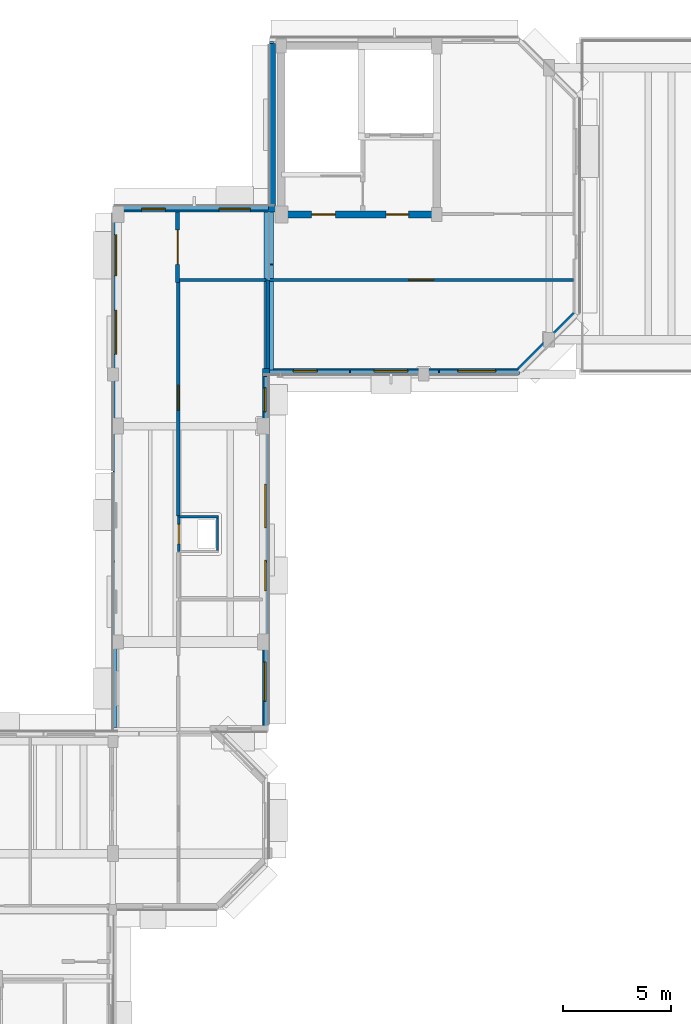
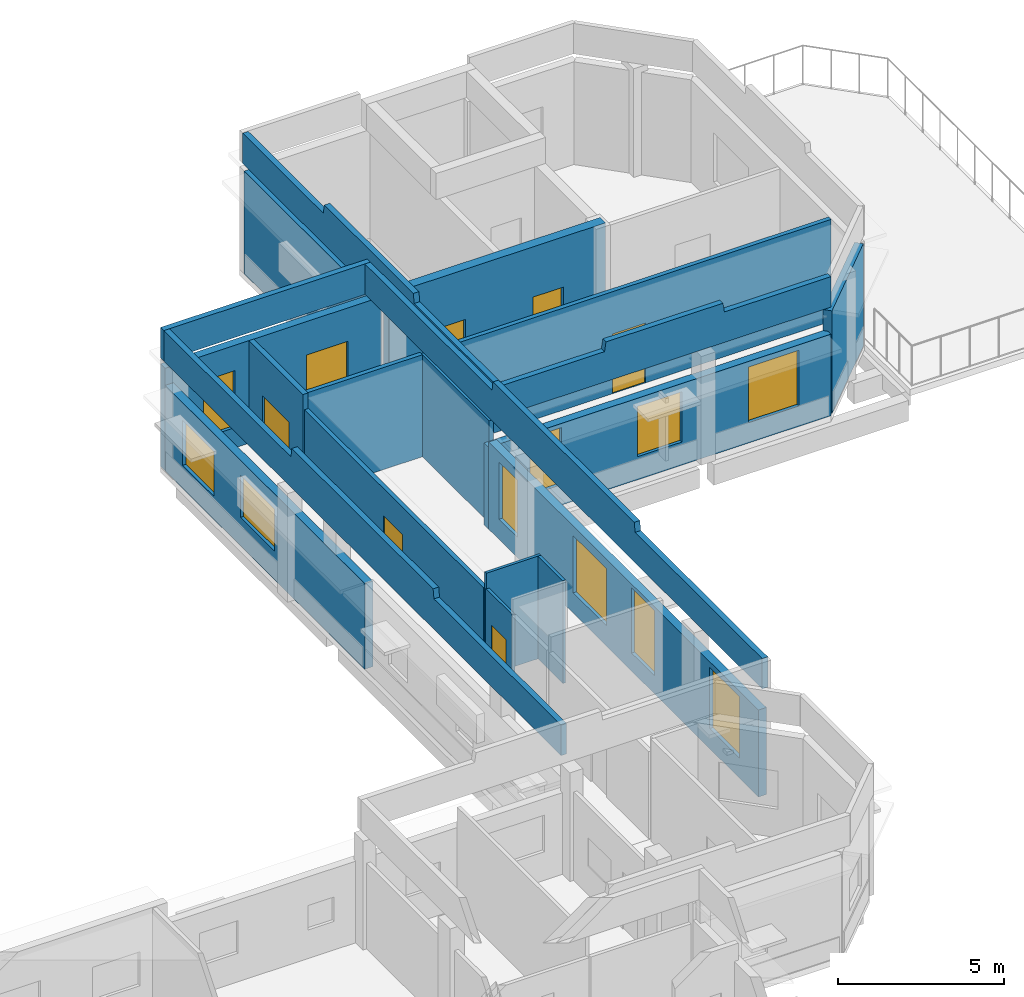
# One storey, part 12 of 17: 20 walls, 11 windows, 6 doors, 17 openings.
"""IFC4 building model written with IfcOpenShell, lengths in metres."""

import ifcopenshell
import ifcopenshell.guid

model = None  # the IFC model being written
_history = None  # IfcOwnerHistory: only IFC2X3 demands one
_inside = {}  # id of a spatial element -> (the spatial element, [elements in it])
_under = {}  # id of a project, library or spatial element -> (it, [spatial elements below it])
_declared = {}  # id of a project -> (the project, [libraries it declares])
_typed = {}  # id of a type object -> (the type object, [elements of that type])
_made_of = {}  # id of a material, layer set ... -> (it, [elements and type objects made of it])


def new_model(schema):
    """Start an empty IFC model of exactly this schema.

    Asked for "IFC4X3", IfcOpenShell would pick the latest addendum, in which some entities
    have other attributes; the version numbers below select the first issue.
    IFC2X3 requires an IfcOwnerHistory on every rooted entity: one is made here for all.
    """
    global model, _history
    if schema == "IFC4X3":
        model = ifcopenshell.file(schema_version=(4, 3, 0, 0))
    else:
        model = ifcopenshell.file(schema=schema)
    _inside.clear()
    _under.clear()
    _declared.clear()
    _typed.clear()
    _made_of.clear()
    _history = None
    if model.schema == "IFC2X3":
        org = make("IfcOrganization", Name="unknown")
        user = make(
            "IfcPersonAndOrganization",
            ThePerson=make("IfcPerson", FamilyName="unknown"),
            TheOrganization=org,
        )
        app = make(
            "IfcApplication",
            ApplicationDeveloper=org,
            Version="unknown",
            ApplicationFullName="unknown",
            ApplicationIdentifier="unknown",
        )
        _history = make(
            "IfcOwnerHistory",
            OwningUser=user,
            OwningApplication=app,
            ChangeAction="ADDED",
            CreationDate=0,
        )
    return model


def make(cls, **values):
    """One entity of the class cls with the attributes given. An attribute that is None is left unset."""
    return model.create_entity(
        cls, **{name: value for name, value in values.items() if value is not None}
    )


def rooted(cls, **values):
    """An entity with a GlobalId (a new one), such as an element, a storey or a relation."""
    return make(cls, GlobalId=ifcopenshell.guid.new(), OwnerHistory=_history, **values)


def si_unit(unit_type, name, prefix=None):
    """IfcSIUnit, for example si_unit("LENGTHUNIT", "METRE", prefix="MILLI")."""
    return make("IfcSIUnit", UnitType=unit_type, Prefix=prefix, Name=name)


def assignment(units):
    """IfcUnitAssignment: the units of a project."""
    return None if units is None else make("IfcUnitAssignment", Units=units)


def point(xyz):
    """IfcCartesianPoint."""
    return None if xyz is None else make("IfcCartesianPoint", Coordinates=xyz)


def direction(xyz):
    """IfcDirection."""
    return None if xyz is None else make("IfcDirection", DirectionRatios=xyz)


def frame(location, z_axis=None, x_axis=None):
    """IfcAxis2Placement3D, a coordinate frame: its origin and axes. An axis left out is left unset."""
    return make(
        "IfcAxis2Placement3D",
        Location=point(location),
        Axis=direction(z_axis),
        RefDirection=direction(x_axis),
    )


def frame_2d(location, x_axis=None):
    """IfcAxis2Placement2D, a coordinate frame in the plane: its origin and x axis."""
    return make(
        "IfcAxis2Placement2D", Location=point(location), RefDirection=direction(x_axis)
    )


def origin():
    """The frame at (0, 0, 0) with its axes left unset."""
    return frame((0.0, 0.0, 0.0))


def place(relative_to, where):
    """IfcLocalPlacement: puts the frame where relative to a parent placement (None: the world)."""
    return make(
        "IfcLocalPlacement", PlacementRelTo=relative_to, RelativePlacement=where
    )


def context(
    kind, dimensions, precision=None, world=None, true_north=None, identifier=None
):
    """IfcGeometricRepresentationContext, for example the 3D "Model" context."""
    return make(
        "IfcGeometricRepresentationContext",
        ContextIdentifier=identifier,
        ContextType=kind,
        CoordinateSpaceDimension=dimensions,
        Precision=precision,
        WorldCoordinateSystem=world,
        TrueNorth=true_north,
    )


def subcontext(parent, identifier, kind, view, scale=None):
    """IfcGeometricRepresentationSubContext, for example "Body" below "Model"."""
    return make(
        "IfcGeometricRepresentationSubContext",
        ContextIdentifier=identifier,
        ContextType=kind,
        ParentContext=parent,
        TargetScale=scale,
        TargetView=view,
    )


def project(units=None, contexts=None):
    """IfcProject with its units and contexts."""
    return rooted(
        "IfcProject",
        Name="project",
        RepresentationContexts=contexts,
        UnitsInContext=assignment(units),
    )


def spatial(cls, under=None, at=None, **own):
    """A site, building, storey or space (cls), placed at a placement, below another one or the project."""
    s = rooted(cls, ObjectPlacement=at, **own)
    if under is not None:
        _under.setdefault(under.id(), (under, []))[1].append(s)
    return s


def polyline(points):
    """IfcPolyline through the points."""
    return make("IfcPolyline", Points=[point(p) for p in points])


def profile(cls, at=None, kind="AREA", **sizes):
    """A parametric profile (cls). Its sizes go by their IFC names, for example OverallWidth=200.0."""
    return make(cls, ProfileType=kind, Position=at, **sizes)


def rectangle(**sizes):
    """IfcRectangleProfileDef."""
    return profile("IfcRectangleProfileDef", **sizes)


def outline(outer, holes=None, kind="AREA"):
    """IfcArbitraryClosedProfileDef: a profile drawn as a closed curve; with holes, ...WithVoids."""
    if holes is None:
        return make("IfcArbitraryClosedProfileDef", ProfileType=kind, OuterCurve=outer)
    return make(
        "IfcArbitraryProfileDefWithVoids",
        ProfileType=kind,
        OuterCurve=outer,
        InnerCurves=holes,
    )


def extrude(swept, where, along, depth):
    """IfcExtrudedAreaSolid: the profile swept, set in the frame where, extruded along a direction by depth."""
    return make(
        "IfcExtrudedAreaSolid",
        SweptArea=swept,
        Position=where,
        ExtrudedDirection=direction(along),
        Depth=depth,
    )


def shape(context_of_items, identifier, shape_type, items):
    """IfcShapeRepresentation: the items that make up one representation, for example the "Body"."""
    return make(
        "IfcShapeRepresentation",
        ContextOfItems=context_of_items,
        RepresentationIdentifier=identifier,
        RepresentationType=shape_type,
        Items=items,
    )


def material(Name=None, Category=None):
    """IfcMaterial."""
    return make("IfcMaterial", Name=Name, Category=Category)


def layer(
    of_material, thickness, ventilated=None, Name=None, Category=None, Priority=None
):
    """IfcMaterialLayer: one layer of a wall or slab, of a material (None: an air gap)."""
    return make(
        "IfcMaterialLayer",
        Material=of_material,
        LayerThickness=thickness,
        IsVentilated=ventilated,
        Name=Name,
        Category=Category,
        Priority=Priority,
    )


def layer_set(layers, Name=None):
    """IfcMaterialLayerSet."""
    return make("IfcMaterialLayerSet", MaterialLayers=layers, LayerSetName=Name)


def made_of(thing, what):
    """Note that an element or type object is made of a material, layer set ...; save() writes the relation."""
    if what is not None:
        _made_of.setdefault(what.id(), (what, []))[1].append(thing)
    return thing


def type_object(cls, material=None, **own):
    """A type object (cls), such as IfcWallType, which elements share."""
    return made_of(rooted(cls, **own), material)


def element(
    cls,
    number,
    at=None,
    inside=None,
    cuts=None,
    type_object=None,
    material=None,
    context=None,
    identifier="Body",
    shape_type=None,
    held_by="IfcProductDefinitionShape",
    body=None,
    shapes=None,
    **own,
):
    """One element of the class cls, such as IfcWall. Its Tag is "e" and its number.

    at: its placement. inside: the storey or other place that contains it. cuts: it is an
    opening in that element (IfcRelVoidsElement). A single representation is given by context,
    identifier, shape_type and body (its items); several are given by shapes. held_by: the class
    of the entity that holds the representations. save() writes the other relations.
    """
    e = rooted(cls, Tag="e%d" % number, ObjectPlacement=at, **own)
    if body is not None:
        shapes = [shape(context, identifier, shape_type, body)]
    if shapes is not None:
        e.Representation = make(held_by, Representations=shapes)
    if inside is not None:
        _inside.setdefault(inside.id(), (inside, []))[1].append(e)
    if cuts is not None:
        rooted(
            "IfcRelVoidsElement", RelatingBuildingElement=cuts, RelatedOpeningElement=e
        )
    if type_object is not None:
        _typed.setdefault(type_object.id(), (type_object, []))[1].append(e)
    return made_of(e, material)


def fill(opening, filler):
    """IfcRelFillsElement: the door or window that sits in an opening."""
    return rooted(
        "IfcRelFillsElement",
        RelatingOpeningElement=opening,
        RelatedBuildingElement=filler,
    )


def aggregate(whole, parts):
    """IfcRelAggregates: a whole, such as a stair, and the parts it consists of."""
    return rooted("IfcRelAggregates", RelatingObject=whole, RelatedObjects=parts)


def save(model, path):
    """Write the relations noted so far, then the file.

    IfcRelAggregates (storeys below a building ...), IfcRelContainedInSpatialStructure (elements
    in a storey), IfcRelDefinesByType, IfcRelAssociatesMaterial and IfcRelDeclares: one each for
    every whole, place, type object, material and project.
    """
    for whole, parts in _under.values():
        aggregate(whole, parts)
    for where, things in _inside.values():
        rooted(
            "IfcRelContainedInSpatialStructure",
            RelatedElements=things,
            RelatingStructure=where,
        )
    for kind, things in _typed.values():
        rooted("IfcRelDefinesByType", RelatedObjects=things, RelatingType=kind)
    for what, things in _made_of.values():
        rooted("IfcRelAssociatesMaterial", RelatedObjects=things, RelatingMaterial=what)
    for by, libraries in _declared.values():
        rooted("IfcRelDeclares", RelatingContext=by, RelatedDefinitions=libraries)
    model.write(path)


model = new_model("IFC4")

# Units and contexts
model_context = context("Model", 3, precision=1e-05, world=origin(), true_north=direction((0.0, 1.0)))
body_context = subcontext(model_context, "Body", "Model", "MODEL_VIEW")
ifc_project = project(units=[si_unit("LENGTHUNIT", "METRE"), si_unit("AREAUNIT", "SQUARE_METRE"), si_unit("VOLUMEUNIT", "CUBIC_METRE"), si_unit("PLANEANGLEUNIT", "RADIAN"), si_unit("MASSUNIT", "GRAM", prefix="KILO")], contexts=[model_context])

# Site, building, storey
site_placement = place(None, origin())
site = spatial("IfcSite", under=ifc_project, at=site_placement, CompositionType="ELEMENT")
building_placement = place(site_placement, origin())
building = spatial("IfcBuilding", under=site, at=building_placement, Name="Kelanivale Promenade Academy", CompositionType="ELEMENT")
storey_placement = place(building_placement, frame((0.0, 0.0, 20.199951171875)))
storey = spatial("IfcBuildingStorey", under=building, at=storey_placement, Name="L05", CompositionType="ELEMENT", Elevation=20.199951171875)

# Wall, openings, doors
ifc_material_1 = material(Name="Concrete C40/50", Category="concrete")
ifc_layer_1 = layer(ifc_material_1, 0.330078125)
ifc_layer_set_1 = layer_set([ifc_layer_1], Name="Concrete C40/50")
wall_type_1 = type_object("IfcWallType", Name="CW-S1 Wall 330mm", PredefinedType="SHEAR", material=ifc_layer_set_1)
wall_1_placement = place(storey_placement, frame((123.235107421875, 103.800048828125, 0.0), z_axis=(0.0, 0.0, 1.0), x_axis=(1.0, 0.0, 0.0)))
wall_1 = element("IfcWall", 1, at=wall_1_placement, inside=storey, type_object=wall_type_1, Name="CORE-5 RC shear wall S L05", PredefinedType="SHEAR", context=body_context, shape_type="SweptSolid", body=[
    extrude(rectangle(XDim=7.52978515625, YDim=0.330078125, at=frame_2d((3.764892578125, 0.0))), origin(), (0.0, 0.0, 1.0), 4.0),
])
opening_1_placement = place(wall_1_placement, frame((5.014892578125, 0.0, 0.0)))
opening_1 = element("IfcOpeningElement", 2, at=opening_1_placement, cuts=wall_1, Name="Opening FD-CORE-5-LB-L05", PredefinedType="OPENING", context=body_context, shape_type="SweptSolid", body=[
    extrude(rectangle(XDim=1.050048828125, YDim=2.14990234375, at=frame_2d((0.52490234375, 1.074951171875))), frame((0.0, 0.175048828125, 0.0), z_axis=(0.0, -1.0, 0.0), x_axis=(1.0, 0.0, 0.0)), (0.0, 0.0, 1.0), 0.35009765625),
])
opening_2_placement = place(wall_1_placement, frame((1.56494140625, 0.0, 0.0)))
opening_2 = element("IfcOpeningElement", 3, at=opening_2_placement, cuts=wall_1, Name="Opening FD-CORE-5-ST-L05", PredefinedType="OPENING", context=body_context, shape_type="SweptSolid", body=[
    extrude(rectangle(XDim=1.10009765625, YDim=2.14990234375, at=frame_2d((0.550048828125, 1.074951171875))), frame((0.0, 0.175048828125, 0.0), z_axis=(0.0, -1.0, 0.0), x_axis=(1.0, 0.0, 0.0)), (0.0, 0.0, 1.0), 0.35009765625),
])
ifc_material_2 = material(Name="Fire-rated steel-core teak veneer", Category="steel")
door_type_1 = type_object("IfcDoorType", Name="DT-F01 Door 1100x2150", OperationType="NOTDEFINED", PredefinedType="DOOR", material=ifc_material_2)
door_1_placement = place(opening_2_placement, frame((1.10009765625, 0.0, 0.0), z_axis=(0.0, 0.0, 1.0), x_axis=(-1.0, 0.0, 0.0)))
door_1 = element("IfcDoor", 4, at=door_1_placement, inside=storey, type_object=door_type_1, Name="CORE-5 protected stair fire door L05", OperationType="SINGLE_SWING_LEFT", OverallHeight=2.14990234375, OverallWidth=1.10009765625, PredefinedType="DOOR", context=body_context, shape_type="SweptSolid", body=[
    extrude(rectangle(XDim=1.10009765625, YDim=2.14990234375, at=frame_2d((0.550048828125, 1.074951171875))), frame((0.0, 0.02490234375, 0.0), z_axis=(0.0, -1.0, 0.0), x_axis=(1.0, 0.0, 0.0)), (0.0, 0.0, 1.0), 0.050048828125),
])
fill(opening_2, door_1)
door_type_2 = type_object("IfcDoorType", Name="DT-F03 Door 1050x2150", OperationType="NOTDEFINED", PredefinedType="DOOR", material=ifc_material_2)
door_2_placement = place(opening_1_placement, origin())
door_2 = element("IfcDoor", 5, at=door_2_placement, inside=storey, type_object=door_type_2, Name="CORE-5 corridor-to-lobby fire door L05", OperationType="SINGLE_SWING_RIGHT", OverallHeight=2.14990234375, OverallWidth=1.050048828125, PredefinedType="DOOR", context=body_context, shape_type="SweptSolid", body=[
    extrude(rectangle(XDim=1.050048828125, YDim=2.14990234375, at=frame_2d((0.52490234375, 1.074951171875))), frame((0.0, 0.02490234375, 0.0), z_axis=(0.0, -1.0, 0.0), x_axis=(1.0, 0.0, 0.0)), (0.0, 0.0, 1.0), 0.050048828125),
])
fill(opening_1, door_2)

# Wall, openings, windows
ifc_material_3 = material(Name="Insulated ivory stucco masonry wall 280 mm", Category="masonry")
ifc_layer_2 = layer(ifc_material_3, 0.280029296875)
ifc_layer_set_2 = layer_set([ifc_layer_2], Name="Insulated ivory stucco masonry wall 280 mm")
wall_type_2 = type_object("IfcWallType", Name="EW-02 Wall 280mm", PredefinedType="SOLIDWALL", material=ifc_layer_set_2)
wall_2_placement = place(storey_placement, frame((122.659912109375, 80.1298828125, 0.0), z_axis=(0.0, 0.0, 1.0), x_axis=(0.0, 1.0, 0.0)))
wall_2 = element("IfcWall", 6, at=wall_2_placement, inside=storey, type_object=wall_type_2, Name="L05 exterior facade wall EW-L05-ORT-0574", PredefinedType="SOLIDWALL", context=body_context, shape_type="SweptSolid", body=[
    extrude(rectangle(XDim=16.27001953125, YDim=0.280029296875, at=frame_2d((8.135009765625, 0.0))), origin(), (0.0, 0.0, 1.0), 3.205078125),
])
opening_3_placement = place(wall_2_placement, frame((1.134033203125, 0.0, 0.75)))
opening_3 = element("IfcOpeningElement", 7, at=opening_3_placement, cuts=wall_2, Name="Opening WT-12", PredefinedType="OPENING", context=body_context, shape_type="SweptSolid", body=[
    extrude(rectangle(XDim=1.800048828125, YDim=2.25, at=frame_2d((0.89990234375, 1.125))), frame((0.0, 0.14990234375, 0.0), z_axis=(0.0, -1.0, 0.0), x_axis=(1.0, 0.0, 0.0)), (0.0, 0.0, 1.0), 0.300048828125),
])
opening_4_placement = place(wall_2_placement, frame((6.2509765625, 0.0, 0.6650390625)))
opening_4 = element("IfcOpeningElement", 8, at=opening_4_placement, cuts=wall_2, Name="Opening WT-13", PredefinedType="OPENING", context=body_context, shape_type="SweptSolid", body=[
    extrude(rectangle(XDim=1.39990234375, YDim=2.39990234375, at=frame_2d((0.699951171875, 1.199951171875))), frame((0.0, 0.14990234375, 0.0), z_axis=(0.0, -1.0, 0.0), x_axis=(1.0, 0.0, 0.0)), (0.0, 0.0, 1.0), 0.300048828125),
])
opening_5_placement = place(wall_2_placement, frame((9.1689453125, 0.0, 0.75)))
opening_5 = element("IfcOpeningElement", 9, at=opening_5_placement, cuts=wall_2, Name="Opening WT-14", PredefinedType="OPENING", context=body_context, shape_type="SweptSolid", body=[
    extrude(rectangle(XDim=2.0, YDim=2.10009765625, at=frame_2d((1.0, 1.050048828125))), frame((0.0, 0.14990234375, 0.0), z_axis=(0.0, -1.0, 0.0), x_axis=(1.0, 0.0, 0.0)), (0.0, 0.0, 1.0), 0.300048828125),
])
opening_6_placement = place(wall_2_placement, frame((14.535888671875, 0.0, 0.75)))
opening_6 = element("IfcOpeningElement", 10, at=opening_6_placement, cuts=wall_2, Name="Opening WT-17", PredefinedType="OPENING", context=body_context, shape_type="SweptSolid", body=[
    extrude(rectangle(XDim=1.10009765625, YDim=2.10009765625, at=frame_2d((0.550048828125, 1.050048828125))), frame((0.0, 0.14990234375, 0.0), z_axis=(0.0, -1.0, 0.0), x_axis=(1.0, 0.0, 0.0)), (0.0, 0.0, 1.0), 0.300048828125),
])
ifc_material_4 = material(Name="Bronze anodised aluminium frame with low-E laminated glass", Category="aluminium")
window_type_1 = type_object("IfcWindowType", Name="WT-12 Window 1800x2250", PartitioningType="SINGLE_PANEL", PredefinedType="WINDOW", material=ifc_material_4)
window_1_placement = place(opening_3_placement, origin())
window_1 = element("IfcWindow", 11, at=window_1_placement, inside=storey, type_object=window_type_1, Name="Window WT-12", OverallHeight=2.25, OverallWidth=1.800048828125, PartitioningType="SINGLE_PANEL", PredefinedType="WINDOW", context=body_context, shape_type="SweptSolid", body=[
    extrude(rectangle(XDim=1.800048828125, YDim=2.25, at=frame_2d((0.89990234375, 1.125))), frame((0.0, 0.030029296875, 0.0), z_axis=(0.0, -1.0, 0.0), x_axis=(1.0, 0.0, 0.0)), (0.0, 0.0, 1.0), 0.06005859375),
])
fill(opening_3, window_1)
window_type_2 = type_object("IfcWindowType", Name="WT-13 Window 1400x2400", PartitioningType="SINGLE_PANEL", PredefinedType="WINDOW", material=ifc_material_4)
window_2_placement = place(opening_4_placement, origin())
window_2 = element("IfcWindow", 12, at=window_2_placement, inside=storey, type_object=window_type_2, Name="Window WT-13", OverallHeight=2.39990234375, OverallWidth=1.39990234375, PartitioningType="SINGLE_PANEL", PredefinedType="WINDOW", context=body_context, shape_type="SweptSolid", body=[
    extrude(rectangle(XDim=1.39990234375, YDim=2.39990234375, at=frame_2d((0.699951171875, 1.199951171875))), frame((0.0, 0.030029296875, 0.0), z_axis=(0.0, -1.0, 0.0), x_axis=(1.0, 0.0, 0.0)), (0.0, 0.0, 1.0), 0.06005859375),
])
fill(opening_4, window_2)
window_type_3 = type_object("IfcWindowType", Name="WT-14 Window 2000x2100", PartitioningType="SINGLE_PANEL", PredefinedType="WINDOW", material=ifc_material_4)
window_3_placement = place(opening_5_placement, origin())
window_3 = element("IfcWindow", 13, at=window_3_placement, inside=storey, type_object=window_type_3, Name="Window WT-14", OverallHeight=2.10009765625, OverallWidth=2.0, PartitioningType="SINGLE_PANEL", PredefinedType="WINDOW", context=body_context, shape_type="SweptSolid", body=[
    extrude(rectangle(XDim=2.0, YDim=2.10009765625, at=frame_2d((1.0, 1.050048828125))), frame((0.0, 0.030029296875, 0.0), z_axis=(0.0, -1.0, 0.0), x_axis=(1.0, 0.0, 0.0)), (0.0, 0.0, 1.0), 0.06005859375),
])
fill(opening_5, window_3)
window_type_4 = type_object("IfcWindowType", Name="WT-17 Window 1100x2100", PartitioningType="SINGLE_PANEL", PredefinedType="WINDOW", material=ifc_material_4)
window_4_placement = place(opening_6_placement, origin())
window_4 = element("IfcWindow", 14, at=window_4_placement, inside=storey, type_object=window_type_4, Name="Window WT-17", OverallHeight=2.10009765625, OverallWidth=1.10009765625, PartitioningType="SINGLE_PANEL", PredefinedType="WINDOW", context=body_context, shape_type="SweptSolid", body=[
    extrude(rectangle(XDim=1.10009765625, YDim=2.10009765625, at=frame_2d((0.550048828125, 1.050048828125))), frame((0.0, 0.030029296875, 0.0), z_axis=(0.0, -1.0, 0.0), x_axis=(1.0, 0.0, 0.0)), (0.0, 0.0, 1.0), 0.06005859375),
])
fill(opening_6, window_4)

wall_3_placement = place(storey_placement, frame((122.52001953125, 96.5400390625, 0.0), z_axis=(0.0, 0.0, 1.0), x_axis=(1.0, 0.0, 0.0)))
wall_3 = element("IfcWall", 15, at=wall_3_placement, inside=storey, type_object=wall_type_2, Name="L05 exterior facade wall EW-L05-ORT-0575", PredefinedType="SOLIDWALL", context=body_context, shape_type="SweptSolid", body=[
    extrude(rectangle(XDim=11.9189453125, YDim=0.280029296875, at=frame_2d((5.95947265625, 0.0))), origin(), (0.0, 0.0, 1.0), 3.005126953125),
])
opening_7_placement = place(wall_3_placement, frame((1.43603515625, 0.0, 0.75)))
opening_7 = element("IfcOpeningElement", 16, at=opening_7_placement, cuts=wall_3, Name="Opening WT-17", PredefinedType="OPENING", context=body_context, shape_type="SweptSolid", body=[
    extrude(rectangle(XDim=1.10009765625, YDim=2.10009765625, at=frame_2d((0.550048828125, 1.050048828125))), frame((0.0, 0.14990234375, 0.0), z_axis=(0.0, -1.0, 0.0), x_axis=(1.0, 0.0, 0.0)), (0.0, 0.0, 1.0), 0.300048828125),
])
opening_8_placement = place(wall_3_placement, frame((5.18408203125, 0.0, 0.85009765625)))
opening_8 = element("IfcOpeningElement", 17, at=opening_8_placement, cuts=wall_3, Name="Opening WT-31", PredefinedType="OPENING", context=body_context, shape_type="SweptSolid", body=[
    extrude(rectangle(XDim=1.550048828125, YDim=1.85009765625, at=frame_2d((0.77490234375, 0.925048828125))), frame((0.0, 0.14990234375, 0.0), z_axis=(0.0, -1.0, 0.0), x_axis=(1.0, 0.0, 0.0)), (0.0, 0.0, 1.0), 0.300048828125),
])
opening_9_placement = place(wall_3_placement, frame((9.056884765625, 0.0, 0.75)))
opening_9 = element("IfcOpeningElement", 18, at=opening_9_placement, cuts=wall_3, Name="Opening WT-32", PredefinedType="OPENING", context=body_context, shape_type="SweptSolid", body=[
    extrude(rectangle(XDim=1.75, YDim=2.050048828125, at=frame_2d((0.875, 1.02490234375))), frame((0.0, 0.14990234375, 0.0), z_axis=(0.0, -1.0, 0.0), x_axis=(1.0, 0.0, 0.0)), (0.0, 0.0, 1.0), 0.300048828125),
])
window_5_placement = place(opening_7_placement, origin())
window_5 = element("IfcWindow", 19, at=window_5_placement, inside=storey, type_object=window_type_4, Name="Window WT-17", OverallHeight=2.10009765625, OverallWidth=1.10009765625, PartitioningType="SINGLE_PANEL", PredefinedType="WINDOW", context=body_context, shape_type="SweptSolid", body=[
    extrude(rectangle(XDim=1.10009765625, YDim=2.10009765625, at=frame_2d((0.550048828125, 1.050048828125))), frame((0.0, 0.030029296875, 0.0), z_axis=(0.0, -1.0, 0.0), x_axis=(1.0, 0.0, 0.0)), (0.0, 0.0, 1.0), 0.06005859375),
])
fill(opening_7, window_5)
window_type_5 = type_object("IfcWindowType", Name="WT-31 Window 1550x1850", PartitioningType="SINGLE_PANEL", PredefinedType="WINDOW", material=ifc_material_4)
window_6_placement = place(opening_8_placement, origin())
window_6 = element("IfcWindow", 20, at=window_6_placement, inside=storey, type_object=window_type_5, Name="Window WT-31", OverallHeight=1.85009765625, OverallWidth=1.550048828125, PartitioningType="SINGLE_PANEL", PredefinedType="WINDOW", context=body_context, shape_type="SweptSolid", body=[
    extrude(rectangle(XDim=1.550048828125, YDim=1.85009765625, at=frame_2d((0.77490234375, 0.925048828125))), frame((0.0, 0.030029296875, 0.0), z_axis=(0.0, -1.0, 0.0), x_axis=(1.0, 0.0, 0.0)), (0.0, 0.0, 1.0), 0.06005859375),
])
fill(opening_8, window_6)
window_type_6 = type_object("IfcWindowType", Name="WT-32 Window 1750x2050", PartitioningType="SINGLE_PANEL", PredefinedType="WINDOW", material=ifc_material_4)
window_7_placement = place(opening_9_placement, origin())
window_7 = element("IfcWindow", 21, at=window_7_placement, inside=storey, type_object=window_type_6, Name="Window WT-32", OverallHeight=2.050048828125, OverallWidth=1.75, PartitioningType="SINGLE_PANEL", PredefinedType="WINDOW", context=body_context, shape_type="SweptSolid", body=[
    extrude(rectangle(XDim=1.75, YDim=2.050048828125, at=frame_2d((0.875, 1.02490234375))), frame((0.0, 0.030029296875, 0.0), z_axis=(0.0, -1.0, 0.0), x_axis=(1.0, 0.0, 0.0)), (0.0, 0.0, 1.0), 0.06005859375),
])
fill(opening_9, window_7)

# Walls
wall_4_placement = place(storey_placement, frame((134.427001953125, 96.583984375, 0.0), z_axis=(0.0, 0.0, 1.0), x_axis=(0.707106781187, 0.707106781187, 0.0)))
element("IfcWall", 22, at=wall_4_placement, inside=storey, type_object=wall_type_2, Name="L05 exterior facade wall EW-L05-ORT-0576", PredefinedType="SOLIDWALL", context=body_context, shape_type="SweptSolid", body=[
    extrude(rectangle(XDim=3.66162109375, YDim=0.280029296875, at=frame_2d((1.830810546875, 0.0))), origin(), (0.0, 0.0, 1.0), 3.780029296875),
])
wall_5_placement = place(storey_placement, frame((122.989990234375, 111.719970703125, 0.0), z_axis=(0.0, 0.0, 1.0), x_axis=(0.0, -1.0, 0.0)))
element("IfcWall", 23, at=wall_5_placement, inside=storey, type_object=wall_type_2, Name="L05 exterior facade wall EW-L05-ORT-0580", PredefinedType="SOLIDWALL", context=body_context, shape_type="SweptSolid", body=[
    extrude(rectangle(XDim=7.52001953125, YDim=0.280029296875, at=frame_2d((3.760009765625, 0.0))), origin(), (0.0, 0.0, 1.0), 3.780029296875),
])

# Wall, openings, windows
wall_6_placement = place(storey_placement, frame((123.1298828125, 104.06005859375, 0.0), z_axis=(0.0, 0.0, 1.0), x_axis=(-1.0, 0.0, 0.0)))
wall_6 = element("IfcWall", 24, at=wall_6_placement, inside=storey, type_object=wall_type_2, Name="L05 exterior facade wall EW-L05-ORT-0581", PredefinedType="SOLIDWALL", context=body_context, shape_type="SweptSolid", body=[
    extrude(rectangle(XDim=7.52978515625, YDim=0.280029296875, at=frame_2d((3.764892578125, 0.0))), origin(), (0.0, 0.0, 1.0), 3.780029296875),
])
opening_10_placement = place(wall_6_placement, frame((1.157958984375, 0.0, 0.85009765625)))
opening_10 = element("IfcOpeningElement", 25, at=opening_10_placement, cuts=wall_6, Name="Opening WT-24", PredefinedType="OPENING", context=body_context, shape_type="SweptSolid", body=[
    extrude(rectangle(XDim=1.449951171875, YDim=1.699951171875, at=frame_2d((0.72509765625, 0.85009765625))), frame((0.0, 0.14990234375, 0.0), z_axis=(0.0, -1.0, 0.0), x_axis=(1.0, 0.0, 0.0)), (0.0, 0.0, 1.0), 0.300048828125),
])
opening_11_placement = place(wall_6_placement, frame((5.097900390625, 0.0, 0.75)))
opening_11 = element("IfcOpeningElement", 26, at=opening_11_placement, cuts=wall_6, Name="Opening WT-17", PredefinedType="OPENING", context=body_context, shape_type="SweptSolid", body=[
    extrude(rectangle(XDim=1.10009765625, YDim=2.10009765625, at=frame_2d((0.550048828125, 1.050048828125))), frame((0.0, 0.14990234375, 0.0), z_axis=(0.0, -1.0, 0.0), x_axis=(1.0, 0.0, 0.0)), (0.0, 0.0, 1.0), 0.300048828125),
])
window_8_placement = place(opening_11_placement, origin())
window_8 = element("IfcWindow", 27, at=window_8_placement, inside=storey, type_object=window_type_4, Name="Window WT-17", OverallHeight=2.10009765625, OverallWidth=1.10009765625, PartitioningType="SINGLE_PANEL", PredefinedType="WINDOW", context=body_context, shape_type="SweptSolid", body=[
    extrude(rectangle(XDim=1.10009765625, YDim=2.10009765625, at=frame_2d((0.550048828125, 1.050048828125))), frame((0.0, 0.030029296875, 0.0), z_axis=(0.0, -1.0, 0.0), x_axis=(1.0, 0.0, 0.0)), (0.0, 0.0, 1.0), 0.06005859375),
])
fill(opening_11, window_8)
window_type_7 = type_object("IfcWindowType", Name="WT-24 Window 1450x1700", PartitioningType="SINGLE_PANEL", PredefinedType="WINDOW", material=ifc_material_4)
window_9_placement = place(opening_10_placement, origin())
window_9 = element("IfcWindow", 28, at=window_9_placement, inside=storey, type_object=window_type_7, Name="Window WT-24", OverallHeight=1.699951171875, OverallWidth=1.449951171875, PartitioningType="SINGLE_PANEL", PredefinedType="WINDOW", context=body_context, shape_type="SweptSolid", body=[
    extrude(rectangle(XDim=1.449951171875, YDim=1.699951171875, at=frame_2d((0.72509765625, 0.85009765625))), frame((0.0, 0.030029296875, 0.0), z_axis=(0.0, -1.0, 0.0), x_axis=(1.0, 0.0, 0.0)), (0.0, 0.0, 1.0), 0.06005859375),
])
fill(opening_10, window_9)

wall_7_placement = place(storey_placement, frame((115.739990234375, 103.919921875, 0.0), z_axis=(0.0, 0.0, 1.0), x_axis=(0.0, -1.0, 0.0)))
wall_7 = element("IfcWall", 29, at=wall_7_placement, inside=storey, type_object=wall_type_2, Name="L05 exterior facade wall EW-L05-ORT-0582", PredefinedType="SOLIDWALL", context=body_context, shape_type="SweptSolid", body=[
    extrude(rectangle(XDim=12.034912109375, YDim=0.280029296875, at=frame_2d((6.017578125, 0.0))), origin(), (0.0, 0.0, 1.0), 3.155029296875),
])
opening_12_placement = place(wall_7_placement, frame((1.055908203125, 0.0, 0.85009765625)))
opening_12 = element("IfcOpeningElement", 30, at=opening_12_placement, cuts=wall_7, Name="Opening WT-26", PredefinedType="OPENING", context=body_context, shape_type="SweptSolid", body=[
    extrude(rectangle(XDim=1.89990234375, YDim=1.64990234375, at=frame_2d((0.949951171875, 0.824951171875))), frame((0.0, 0.14990234375, 0.0), z_axis=(0.0, -1.0, 0.0), x_axis=(1.0, 0.0, 0.0)), (0.0, 0.0, 1.0), 0.300048828125),
])
opening_13_placement = place(wall_7_placement, frame((4.5419921875, 0.0, 1.050048828125)))
opening_13 = element("IfcOpeningElement", 31, at=opening_13_placement, cuts=wall_7, Name="Opening WT-27", PredefinedType="OPENING", context=body_context, shape_type="SweptSolid", body=[
    extrude(rectangle(XDim=2.050048828125, YDim=1.550048828125, at=frame_2d((1.02490234375, 0.77490234375))), frame((0.0, 0.14990234375, 0.0), z_axis=(0.0, -1.0, 0.0), x_axis=(1.0, 0.0, 0.0)), (0.0, 0.0, 1.0), 0.300048828125),
])
window_type_8 = type_object("IfcWindowType", Name="WT-26 Window 1900x1650", PartitioningType="SINGLE_PANEL", PredefinedType="WINDOW", material=ifc_material_4)
window_10_placement = place(opening_12_placement, origin())
window_10 = element("IfcWindow", 32, at=window_10_placement, inside=storey, type_object=window_type_8, Name="Window WT-26", OverallHeight=1.64990234375, OverallWidth=1.89990234375, PartitioningType="SINGLE_PANEL", PredefinedType="WINDOW", context=body_context, shape_type="SweptSolid", body=[
    extrude(rectangle(XDim=1.89990234375, YDim=1.64990234375, at=frame_2d((0.949951171875, 0.824951171875))), frame((0.0, 0.030029296875, 0.0), z_axis=(0.0, -1.0, 0.0), x_axis=(1.0, 0.0, 0.0)), (0.0, 0.0, 1.0), 0.06005859375),
])
fill(opening_12, window_10)
window_type_9 = type_object("IfcWindowType", Name="WT-27 Window 2050x1550", PartitioningType="SINGLE_PANEL", PredefinedType="WINDOW", material=ifc_material_4)
window_11_placement = place(opening_13_placement, origin())
window_11 = element("IfcWindow", 33, at=window_11_placement, inside=storey, type_object=window_type_9, Name="Window WT-27", OverallHeight=1.550048828125, OverallWidth=2.050048828125, PartitioningType="SINGLE_PANEL", PredefinedType="WINDOW", context=body_context, shape_type="SweptSolid", body=[
    extrude(rectangle(XDim=2.050048828125, YDim=1.550048828125, at=frame_2d((1.02490234375, 0.77490234375))), frame((0.0, 0.030029296875, 0.0), z_axis=(0.0, -1.0, 0.0), x_axis=(1.0, 0.0, 0.0)), (0.0, 0.0, 1.0), 0.06005859375),
])
fill(opening_13, window_11)

# Wall, opening, door
ifc_material_5 = material(Name="Autoclaved masonry blockwork 180 mm", Category="masonry")
ifc_layer_3 = layer(ifc_material_5, 0.179931640625)
ifc_layer_set_3 = layer_set([ifc_layer_3], Name="Autoclaved masonry blockwork 180 mm")
wall_type_3 = type_object("IfcWallType", Name="IW-02 Wall 180mm", PredefinedType="PARTITIONING", material=ifc_layer_set_3)
wall_8_placement = place(storey_placement, frame((118.60009765625, 100.64990234375, 0.0), z_axis=(0.0, 0.0, 1.0), x_axis=(0.0, 1.0, 0.0)))
wall_8 = element("IfcWall", 34, at=wall_8_placement, inside=storey, type_object=wall_type_3, Name="L05 cross-corridor fire wall", PredefinedType="PARTITIONING", context=body_context, shape_type="SweptSolid", body=[
    extrude(rectangle(XDim=3.272216796875, YDim=0.179931640625, at=frame_2d((1.63623046875, 0.0))), origin(), (0.0, 0.0, 1.0), 3.780029296875),
])
opening_14_placement = place(wall_8_placement, frame((0.8359375, 0.0, 0.0)))
opening_14 = element("IfcOpeningElement", 35, at=opening_14_placement, cuts=wall_8, Name="Opening FD-L05-CC-196", PredefinedType="OPENING", context=body_context, shape_type="SweptSolid", body=[
    extrude(rectangle(XDim=1.60009765625, YDim=2.25, at=frame_2d((0.800048828125, 1.125))), frame((0.0, 0.10009765625, 0.0), z_axis=(0.0, -1.0, 0.0), x_axis=(1.0, 0.0, 0.0)), (0.0, 0.0, 1.0), 0.199951171875),
])
door_type_3 = type_object("IfcDoorType", Name="DT-F09 Door 1600x2250", OperationType="NOTDEFINED", PredefinedType="DOOR", material=ifc_material_2)
door_3_placement = place(opening_14_placement, origin())
door_3 = element("IfcDoor", 36, at=door_3_placement, inside=storey, type_object=door_type_3, Name="L05 cross-corridor fire door FD-L05-CC-196", OperationType="DOUBLE_DOOR_SINGLE_SWING", OverallHeight=2.25, OverallWidth=1.60009765625, PredefinedType="DOOR", context=body_context, shape_type="SweptSolid", body=[
    extrude(rectangle(XDim=1.60009765625, YDim=2.25, at=frame_2d((0.800048828125, 1.125))), frame((0.0, 0.02490234375, 0.0), z_axis=(0.0, -1.0, 0.0), x_axis=(1.0, 0.0, 0.0)), (0.0, 0.0, 1.0), 0.050048828125),
])
fill(opening_14, door_3)

# Walls
ifc_material_6 = material(Name="Acoustic gypsum-lined masonry partition 150 mm", Category="masonry")
ifc_layer_4 = layer(ifc_material_6, 0.14990234375)
ifc_layer_set_4 = layer_set([ifc_layer_4], Name="Acoustic gypsum-lined masonry partition 150 mm")
wall_type_4 = type_object("IfcWallType", Name="IW-03 Wall 150mm", PredefinedType="PARTITIONING", material=ifc_layer_set_4)
wall_9_placement = place(storey_placement, frame((122.77001953125, 96.677978515625, 0.0), z_axis=(0.0, 0.0, 1.0), x_axis=(0.0, 1.0, 0.0)))
element("IfcWall", 37, at=wall_9_placement, inside=storey, type_object=wall_type_4, Name="L05 partition Research Instrument Studio", PredefinedType="PARTITIONING", context=body_context, shape_type="SweptSolid", body=[
    extrude(rectangle(XDim=4.092041015625, YDim=0.14990234375, at=frame_2d((2.0458984375, 0.0))), origin(), (0.0, 0.0, 1.0), 3.755126953125),
])
wall_10_placement = place(storey_placement, frame((122.697021484375, 100.77001953125, 0.0), z_axis=(0.0, 0.0, 1.0), x_axis=(-1.0, 0.0, 0.0)))
element("IfcWall", 38, at=wall_10_placement, inside=storey, type_object=wall_type_4, Name="L05 partition Research Instrument Studio", PredefinedType="PARTITIONING", context=body_context, shape_type="SweptSolid", body=[
    extrude(rectangle(XDim=4.009033203125, YDim=0.14990234375, at=frame_2d((2.00439453125, 0.0))), origin(), (0.0, 0.0, 1.0), 3.755126953125),
])

# Wall, opening, door
wall_11_placement = place(storey_placement, frame((118.6298828125, 100.77001953125, 0.0), z_axis=(0.0, 0.0, 1.0), x_axis=(0.0, -1.0, 0.0)))
wall_11 = element("IfcWall", 39, at=wall_11_placement, inside=storey, type_object=wall_type_4, Name="L05 partition Research Instrument Studio", PredefinedType="PARTITIONING", context=body_context, shape_type="SweptSolid", body=[
    extrude(rectangle(XDim=10.922119140625, YDim=0.14990234375, at=frame_2d((5.4609375, 0.0))), origin(), (0.0, 0.0, 1.0), 3.205078125),
])
opening_15_placement = place(wall_11_placement, frame((4.885986328125, 0.0, 0.0)))
opening_15 = element("IfcOpeningElement", 40, at=opening_15_placement, cuts=wall_11, Name="Opening ID-L05-211", PredefinedType="OPENING", context=body_context, shape_type="SweptSolid", body=[
    extrude(rectangle(XDim=1.14990234375, YDim=2.199951171875, at=frame_2d((0.574951171875, 1.10009765625))), frame((0.0, 0.0849609375, 0.0), z_axis=(0.0, -1.0, 0.0), x_axis=(1.0, 0.0, 0.0)), (0.0, 0.0, 1.0), 0.169921875),
])
door_type_4 = type_object("IfcDoorType", Name="DT-F06 Door 1150x2200", OperationType="NOTDEFINED", PredefinedType="DOOR", material=ifc_material_2)
door_4_placement = place(opening_15_placement, origin())
door_4 = element("IfcDoor", 41, at=door_4_placement, inside=storey, type_object=door_type_4, Name="Research Instrument Studio door ID-L05-211", OperationType="SINGLE_SWING_RIGHT", OverallHeight=2.199951171875, OverallWidth=1.14990234375, PredefinedType="DOOR", context=body_context, shape_type="SweptSolid", body=[
    extrude(rectangle(XDim=1.14990234375, YDim=2.199951171875, at=frame_2d((0.574951171875, 1.10009765625))), frame((0.0, 0.02490234375, 0.0), z_axis=(0.0, -1.0, 0.0), x_axis=(1.0, 0.0, 0.0)), (0.0, 0.0, 1.0), 0.050048828125),
])
fill(opening_15, door_4)

wall_12_placement = place(storey_placement, frame((136.922119140625, 100.77001953125, 0.0), z_axis=(0.0, 0.0, 1.0), x_axis=(-1.0, 0.0, 0.0)))
wall_12 = element("IfcWall", 42, at=wall_12_placement, inside=storey, type_object=wall_type_4, Name="L05 partition Chemistry Research Laboratory", PredefinedType="PARTITIONING", context=body_context, shape_type="SweptSolid", body=[
    extrude(rectangle(XDim=14.0791015625, YDim=0.14990234375, at=frame_2d((7.03955078125, 0.0))), origin(), (0.0, 0.0, 1.0), 3.755126953125),
])
opening_16_placement = place(wall_12_placement, frame((6.464111328125, 0.0, 0.0)))
opening_16 = element("IfcOpeningElement", 43, at=opening_16_placement, cuts=wall_12, Name="Opening ID-L05-212", PredefinedType="OPENING", context=body_context, shape_type="SweptSolid", body=[
    extrude(rectangle(XDim=1.14990234375, YDim=2.199951171875, at=frame_2d((0.574951171875, 1.10009765625))), frame((0.0, 0.0849609375, 0.0), z_axis=(0.0, -1.0, 0.0), x_axis=(1.0, 0.0, 0.0)), (0.0, 0.0, 1.0), 0.169921875),
])
door_5_placement = place(opening_16_placement, origin())
door_5 = element("IfcDoor", 44, at=door_5_placement, inside=storey, type_object=door_type_4, Name="Chemistry Research Laboratory door ID-L05-212", OperationType="SINGLE_SWING_LEFT", OverallHeight=2.199951171875, OverallWidth=1.14990234375, PredefinedType="DOOR", context=body_context, shape_type="SweptSolid", body=[
    extrude(rectangle(XDim=1.14990234375, YDim=2.199951171875, at=frame_2d((0.574951171875, 1.10009765625))), frame((0.0, 0.02490234375, 0.0), z_axis=(0.0, -1.0, 0.0), x_axis=(1.0, 0.0, 0.0)), (0.0, 0.0, 1.0), 0.050048828125),
])
fill(opening_16, door_5)

ifc_material_7 = material(Name="Fire-rated service riser shaft wall 100 mm", Category="masonry")
ifc_layer_5 = layer(ifc_material_7, 0.10009765625)
ifc_layer_set_5 = layer_set([ifc_layer_5], Name="Fire-rated service riser shaft wall 100 mm")
wall_type_5 = type_object("IfcWallType", Name="IW-07 Wall 100mm", PredefinedType="PARTITIONING", material=ifc_layer_set_5)
wall_13_placement = place(storey_placement, frame((118.64990234375, 88.199951171875, 0.0), z_axis=(0.0, 0.0, 1.0), x_axis=(0.0, 1.0, 0.0)))
wall_13 = element("IfcWall", 45, at=wall_13_placement, inside=storey, type_object=wall_type_5, Name="L05 service riser west access wall", PredefinedType="PARTITIONING", context=body_context, shape_type="SweptSolid", body=[
    extrude(rectangle(XDim=1.60009765625, YDim=0.10009765625, at=frame_2d((0.800048828125, 0.0))), origin(), (0.0, 0.0, 1.0), 3.205078125),
])
opening_17_placement = place(wall_13_placement, frame((0.35009765625, 0.0, 0.0)))
opening_17 = element("IfcOpeningElement", 46, at=opening_17_placement, cuts=wall_13, Name="Opening RD-L05-01", PredefinedType="OPENING", context=body_context, shape_type="SweptSolid", body=[
    extrude(rectangle(XDim=0.89990234375, YDim=2.050048828125, at=frame_2d((0.449951171875, 1.02490234375))), frame((0.0, 0.06005859375, 0.0), z_axis=(0.0, -1.0, 0.0), x_axis=(1.0, 0.0, 0.0)), (0.0, 0.0, 1.0), 0.1201171875),
])
door_type_5 = type_object("IfcDoorType", Name="DT-F11 Door 900x2050", OperationType="NOTDEFINED", PredefinedType="USERDEFINED", material=ifc_material_2)
door_6_placement = place(opening_17_placement, frame((0.89990234375, 0.0, 0.0), z_axis=(0.0, 0.0, 1.0), x_axis=(-1.0, 0.0, 0.0)))
door_6 = element("IfcDoor", 47, at=door_6_placement, inside=storey, type_object=door_type_5, Name="L05 service riser fire access panel RD-L05-01", ObjectType="ACCESS PANEL", OperationType="SINGLE_SWING_LEFT", OverallHeight=2.050048828125, OverallWidth=0.89990234375, PredefinedType="USERDEFINED", context=body_context, shape_type="SweptSolid", body=[
    extrude(rectangle(XDim=0.89990234375, YDim=2.050048828125, at=frame_2d((0.449951171875, 1.02490234375))), frame((0.0, 0.02490234375, 0.0), z_axis=(0.0, -1.0, 0.0), x_axis=(1.0, 0.0, 0.0)), (0.0, 0.0, 1.0), 0.050048828125),
])
fill(opening_17, door_6)

# Walls
wall_14_placement = place(storey_placement, frame((118.60009765625, 89.800048828125, 0.0), z_axis=(0.0, 0.0, 1.0), x_axis=(1.0, 0.0, 0.0)))
element("IfcWall", 48, at=wall_14_placement, inside=storey, type_object=wall_type_5, Name="L05 service riser north enclosure wall", PredefinedType="PARTITIONING", context=body_context, shape_type="SweptSolid", body=[
    extrude(rectangle(XDim=1.89990234375, YDim=0.10009765625, at=frame_2d((0.949951171875, 0.0))), origin(), (0.0, 0.0, 1.0), 3.780029296875),
])
wall_15_placement = place(storey_placement, frame((120.449951171875, 88.25, 0.0), z_axis=(0.0, 0.0, 1.0), x_axis=(0.0, 1.0, 0.0)))
element("IfcWall", 49, at=wall_15_placement, inside=storey, type_object=wall_type_5, Name="L05 service riser east enclosure wall", PredefinedType="PARTITIONING", context=body_context, shape_type="SweptSolid", body=[
    extrude(rectangle(XDim=1.5, YDim=0.10009765625, at=frame_2d((0.75, 0.0))), origin(), (0.0, 0.0, 1.0), 3.780029296875),
])
ifc_material_8 = material(Name="Precast concrete C40/50", Category="concrete")
ifc_layer_6 = layer(ifc_material_8, 0.195068359375)
ifc_layer_set_6 = layer_set([ifc_layer_6], Name="Precast concrete C40/50")
wall_type_6 = type_object("IfcWallType", Name="PW-01 Wall 195mm", PredefinedType="PARAPET", material=ifc_layer_set_6)
wall_16_placement = place(storey_placement, frame((122.701904296875, 80.044921875, 4.0), z_axis=(0.0, 0.0, 1.0), x_axis=(0.0, 1.0, 0.0)))
element("IfcWall", 50, at=wall_16_placement, inside=storey, type_object=wall_type_6, Name="RF stepped Art Deco roof parapet", PredefinedType="PARAPET", context=body_context, shape_type="SweptSolid", body=[
    extrude(outline(polyline([(0.0, 0.0), (23.9599609375, 0.0), (23.9599609375, 1.1201171875), (16.29296875, 1.1201171875), (16.242919921875, 1.4599609375), (7.717041015625, 1.4599609375), (7.6669921875, 1.1201171875), (0.0, 1.1201171875), (0.0, 0.0)])), frame((0.0, 0.09765625, 0.0), z_axis=(0.0, -1.0, 0.0), x_axis=(1.0, 0.0, 0.0)), (0.0, 0.0, 1.0), 0.195068359375),
])
wall_17_placement = place(storey_placement, frame((122.799072265625, 104.10205078125, 4.0), z_axis=(0.0, 0.0, 1.0), x_axis=(-1.0, 0.0, 0.0)))
element("IfcWall", 51, at=wall_17_placement, inside=storey, type_object=wall_type_6, Name="RF stepped Art Deco roof parapet", PredefinedType="PARAPET", context=body_context, shape_type="SweptSolid", body=[
    extrude(rectangle(XDim=7.198974609375, YDim=0.195068359375, at=frame_2d((3.599609375, 0.0))), origin(), (0.0, 0.0, 1.0), 1.1201171875),
])
wall_18_placement = place(storey_placement, frame((115.697998046875, 104.0048828125, 4.0), z_axis=(0.0, 0.0, 1.0), x_axis=(0.0, -1.0, 0.0)))
element("IfcWall", 52, at=wall_18_placement, inside=storey, type_object=wall_type_6, Name="RF stepped Art Deco roof parapet", PredefinedType="PARAPET", context=body_context, shape_type="SweptSolid", body=[
    extrude(outline(polyline([(0.0, 0.0), (23.9599609375, 0.0), (23.9599609375, 1.1201171875), (16.29296875, 1.1201171875), (16.242919921875, 1.4599609375), (7.717041015625, 1.4599609375), (7.6669921875, 1.1201171875), (0.0, 1.1201171875), (0.0, 0.0)])), frame((0.0, 0.09765625, 0.0), z_axis=(0.0, -1.0, 0.0), x_axis=(1.0, 0.0, 0.0)), (0.0, 0.0, 1.0), 0.195068359375),
])
wall_19_placement = place(storey_placement, frame((122.947998046875, 111.804931640625, 4.0), z_axis=(0.0, 0.0, 1.0), x_axis=(0.0, -1.0, 0.0)))
element("IfcWall", 53, at=wall_19_placement, inside=storey, type_object=wall_type_6, Name="RF stepped Art Deco roof parapet", PredefinedType="PARAPET", context=body_context, shape_type="SweptSolid", body=[
    extrude(outline(polyline([(0.0, 0.0), (15.208984375, 0.0), (15.208984375, 1.1201171875), (10.342041015625, 1.1201171875), (10.2919921875, 1.4599609375), (4.9169921875, 1.4599609375), (4.866943359375, 1.1201171875), (0.0, 1.1201171875), (0.0, 0.0)])), frame((0.0, 0.09765625, 0.0), z_axis=(0.0, -1.0, 0.0), x_axis=(1.0, 0.0, 0.0)), (0.0, 0.0, 1.0), 0.195068359375),
])
wall_20_placement = place(storey_placement, frame((122.85009765625, 96.498046875, 4.0), z_axis=(0.0, 0.0, 1.0), x_axis=(1.0, 0.0, 0.0)))
element("IfcWall", 54, at=wall_20_placement, inside=storey, type_object=wall_type_6, Name="RF stepped Art Deco roof parapet", PredefinedType="PARAPET", context=body_context, shape_type="SweptSolid", body=[
    extrude(outline(polyline([(0.0, 0.0), (11.5888671875, 0.0), (11.589111328125, 1.1201171875), (7.881103515625, 1.1201171875), (7.8310546875, 1.4599609375), (3.758056640625, 1.4599609375), (3.7080078125, 1.1201171875), (0.0, 1.1201171875), (0.0, 0.0)])), frame((0.0, 0.09765625, 0.0), z_axis=(0.0, -1.0, 0.0), x_axis=(1.0, 0.0, 0.0)), (0.0, 0.0, 1.0), 0.195068359375),
])

save(model, "model.ifc")
